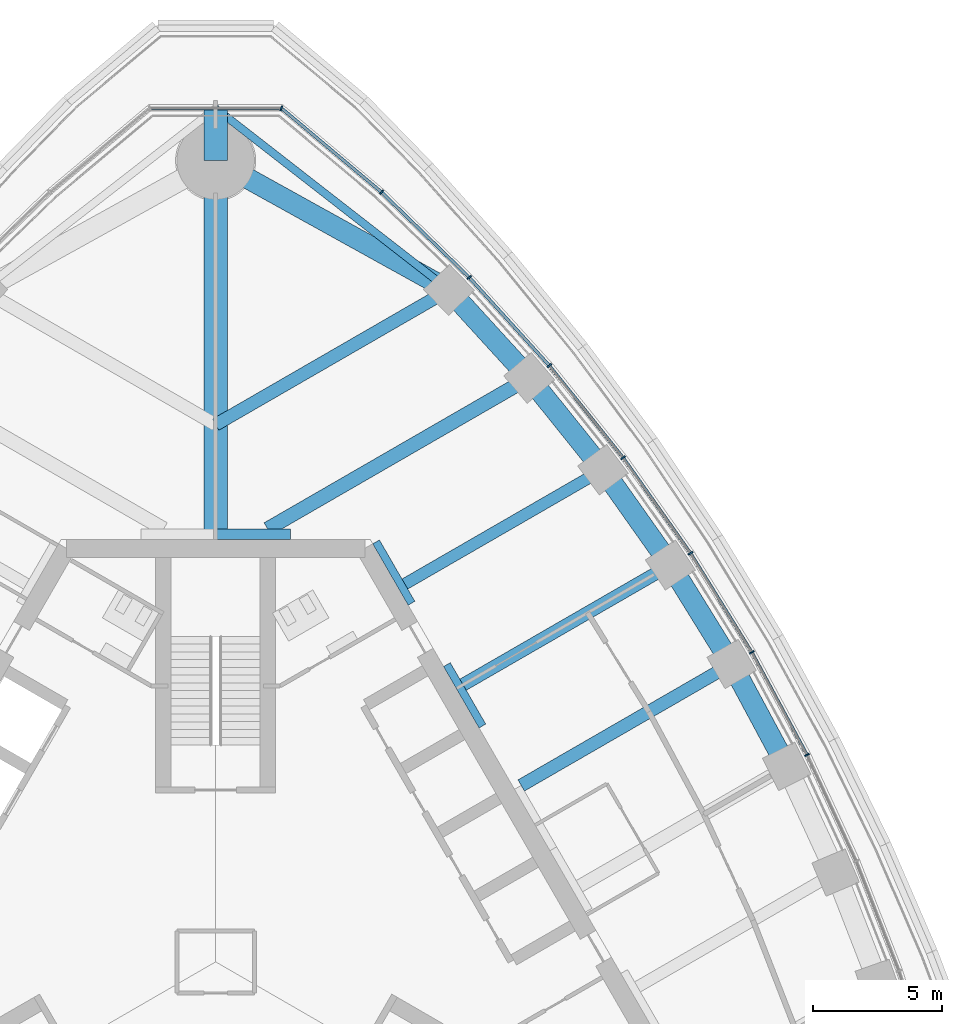
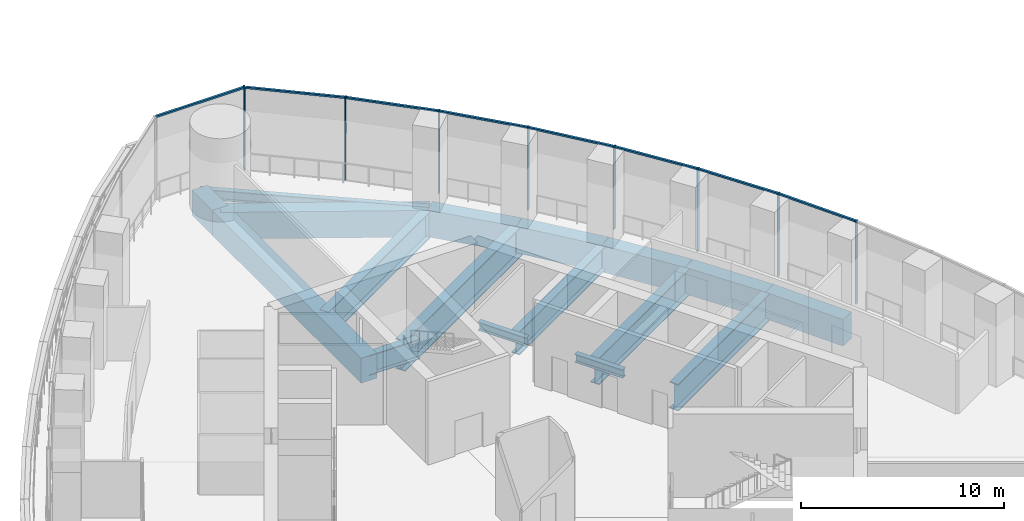
# One storey, part 7 of 26: 17 beams, 16 members, 2 elements without a shape of their own.
"""IFC4 building model written with IfcOpenShell, lengths in metres."""

from ifc_helpers import new_model, si_unit, direction, frame, origin, origin_2d, place, context, subcontext, project, spatial, rectangle, i_section, extrude, material, material_profile, profile_set, type_object, element, aggregate, save


model = new_model("IFC4")

# Units and contexts
model_context = context("Model", 3, precision=1e-05, world=origin(), true_north=direction((0.0, 1.0)))
body_context = subcontext(model_context, "Body", "Model", "MODEL_VIEW")
ifc_project = project(units=[si_unit("LENGTHUNIT", "METRE"), si_unit("AREAUNIT", "SQUARE_METRE"), si_unit("VOLUMEUNIT", "CUBIC_METRE"), si_unit("PLANEANGLEUNIT", "RADIAN"), si_unit("MASSUNIT", "GRAM", prefix="KILO")], contexts=[model_context])

# Site, building, storey
site_placement = place(None, origin())
site = spatial("IfcSite", under=ifc_project, at=site_placement, CompositionType="ELEMENT")
building_placement = place(site_placement, origin())
building = spatial("IfcBuilding", under=site, at=building_placement, Name="Trefoil Bronze Tower", CompositionType="ELEMENT")
storey_placement = place(building_placement, frame((0.0, 0.0, 271.300048828125)))
storey = spatial("IfcBuildingStorey", under=building, at=storey_placement, Name="L62", CompositionType="ELEMENT", Elevation=271.300048828125)

# Curtain wall, members
ifc_material_1 = material(Name="Tinted solar-control glass", Category="glass")
curtain_wall_type_1 = type_object("IfcCurtainWallType", Name="Bronze rounded corner curtain wall", PredefinedType="USERDEFINED", material=ifc_material_1)
curtain_wall_1_placement = place(storey_placement, origin())
curtain_wall_1 = element("IfcCurtainWall", 1, at=curtain_wall_1_placement, inside=storey, type_object=curtain_wall_type_1, Name="CW-B L62 K2", ObjectType="CURTAIN WALL", PredefinedType="USERDEFINED")
ifc_material_2 = material(Name="Bronze-finish aluminium", Category="aluminium")
ifc_material_profile_1 = material_profile(ifc_material_2, rectangle(XDim=0.199951171875, YDim=0.06005859375, at=origin_2d()), Name="CW-B mullion")
ifc_profile_set_1 = profile_set([ifc_material_profile_1], Name="Bronze-finish aluminium")
member_type_1 = type_object("IfcMemberType", Name="Bronze rounded corner curtain wall mullion", PredefinedType="MULLION", material=ifc_profile_set_1)
member_1_placement = place(storey_placement, frame((6.4150390625, 29.77978515625, 0.0), z_axis=(0.0, 0.0, 1.0), x_axis=(-0.642787609687, -0.766044443119, 0.0)))
member_1 = element("IfcMember", 2, at=member_1_placement, type_object=member_type_1, Name="CW-B L62 K2 mullion 1", PredefinedType="MULLION", context=body_context, shape_type="SweptSolid", body=[
    extrude(rectangle(XDim=0.199951171875, YDim=0.06005859375, at=origin_2d()), origin(), (0.0, 0.0, 1.0), 4.97998046875),
])
member_2_placement = place(storey_placement, frame((2.542236328125, 33.021484375, 0.0), z_axis=(0.0, 0.0, 1.0), x_axis=(-0.342020143326, -0.939692620786, 0.0)))
member_2 = element("IfcMember", 3, at=member_2_placement, type_object=member_type_1, Name="CW-B L62 K2 mullion 2", PredefinedType="MULLION", context=body_context, shape_type="SweptSolid", body=[
    extrude(rectangle(XDim=0.199951171875, YDim=0.06005859375, at=origin_2d()), origin(), (0.0, 0.0, 1.0), 4.97998046875),
])
ifc_material_3 = material(Name="Bronze-finish aluminium", Category="aluminium")
ifc_material_profile_2 = material_profile(ifc_material_3, rectangle(XDim=0.1201171875, YDim=0.10009765625, at=origin_2d()), Name="CW-B transom")
ifc_profile_set_2 = profile_set([ifc_material_profile_2], Name="Bronze-finish aluminium")
member_type_2 = type_object("IfcMemberType", Name="Bronze rounded corner curtain wall transom", PredefinedType="USERDEFINED", material=ifc_profile_set_2)
member_3_placement = place(storey_placement, frame((6.39208984375, 29.799072265625, 4.929931640625), z_axis=(-0.766040522511, 0.642792282056, 0.0), x_axis=(-0.642792282056, -0.766040522511, 0.0)))
member_3 = element("IfcMember", 4, at=member_3_placement, type_object=member_type_2, Name="CW-B L62 K2 transom 1", ObjectType="TRANSOM", PredefinedType="USERDEFINED", context=body_context, shape_type="SweptSolid", body=[
    extrude(rectangle(XDim=0.1201171875, YDim=0.10009765625, at=origin_2d()), origin(), (0.0, 0.0, 1.0), 4.9560546875),
])
member_4_placement = place(storey_placement, frame((2.47802734375, 33.027587890625, 4.929931640625), z_axis=(-1.0, 0.0, 0.0), x_axis=(0.0, -1.0, 0.0)))
member_4 = element("IfcMember", 5, at=member_4_placement, type_object=member_type_2, Name="CW-B L62 K2 transom 2", ObjectType="TRANSOM", PredefinedType="USERDEFINED", context=body_context, shape_type="SweptSolid", body=[
    extrude(rectangle(XDim=0.1201171875, YDim=0.10009765625, at=origin_2d()), origin(), (0.0, 0.0, 1.0), 4.9560546875),
])
aggregate(curtain_wall_1, [member_1, member_2, member_3, member_4])

ifc_material_4 = material(Name="Tinted solar-control glass", Category="glass")
curtain_wall_type_2 = type_object("IfcCurtainWallType", Name="Bronze sky lobby curtain wall", PredefinedType="USERDEFINED", material=ifc_material_4)
curtain_wall_2_placement = place(storey_placement, origin())
curtain_wall_2 = element("IfcCurtainWall", 6, at=curtain_wall_2_placement, inside=storey, type_object=curtain_wall_type_2, Name="CW-D L62 F2", ObjectType="CURTAIN WALL", PredefinedType="USERDEFINED")
ifc_material_5 = material(Name="Bronze-finish aluminium", Category="aluminium")
ifc_material_profile_3 = material_profile(ifc_material_5, rectangle(XDim=0.199951171875, YDim=0.06005859375, at=origin_2d()), Name="CW-D mullion")
ifc_profile_set_3 = profile_set([ifc_material_profile_3], Name="Bronze-finish aluminium")
member_type_3 = type_object("IfcMemberType", Name="Bronze sky lobby curtain wall mullion", PredefinedType="MULLION", material=ifc_profile_set_3)
member_5_placement = place(storey_placement, frame((22.877685546875, 8.005126953125, 0.0), z_axis=(0.0, 0.0, 1.0), x_axis=(-0.894713198289, -0.44664112306, 0.0)))
member_5 = element("IfcMember", 7, at=member_5_placement, type_object=member_type_3, Name="CW-D L62 F2 mullion 5", PredefinedType="MULLION", context=body_context, shape_type="SweptSolid", body=[
    extrude(rectangle(XDim=0.199951171875, YDim=0.06005859375, at=origin_2d()), origin(), (0.0, 0.0, 1.0), 4.97998046875),
])
member_6_placement = place(storey_placement, frame((20.74267578125, 11.975830078125, 0.0), z_axis=(0.0, 0.0, 1.0), x_axis=(-0.866025403784, -0.5, 0.0)))
member_6 = element("IfcMember", 8, at=member_6_placement, type_object=member_type_3, Name="CW-D L62 F2 mullion 6", PredefinedType="MULLION", context=body_context, shape_type="SweptSolid", body=[
    extrude(rectangle(XDim=0.199951171875, YDim=0.06005859375, at=origin_2d()), origin(), (0.0, 0.0, 1.0), 4.97998046875),
])
member_7_placement = place(storey_placement, frame((18.37158203125, 15.81005859375, 0.0), z_axis=(0.0, 0.0, 1.0), x_axis=(-0.834159158089, -0.551523797289, 0.0)))
member_7 = element("IfcMember", 9, at=member_7_placement, type_object=member_type_3, Name="CW-D L62 F2 mullion 7", PredefinedType="MULLION", context=body_context, shape_type="SweptSolid", body=[
    extrude(rectangle(XDim=0.199951171875, YDim=0.06005859375, at=origin_2d()), origin(), (0.0, 0.0, 1.0), 4.97998046875),
])
member_8_placement = place(storey_placement, frame((15.7626953125, 19.5068359375, 0.0), z_axis=(0.0, 0.0, 1.0), x_axis=(-0.799096076136, -0.601203344222, 0.0)))
member_8 = element("IfcMember", 10, at=member_8_placement, type_object=member_type_3, Name="CW-D L62 F2 mullion 8", PredefinedType="MULLION", context=body_context, shape_type="SweptSolid", body=[
    extrude(rectangle(XDim=0.199951171875, YDim=0.06005859375, at=origin_2d()), origin(), (0.0, 0.0, 1.0), 4.97998046875),
])
member_9_placement = place(storey_placement, frame((12.912353515625, 23.064453125, 0.0), z_axis=(0.0, 0.0, 1.0), x_axis=(-0.760781190165, -0.649008459646, 0.0)))
member_9 = element("IfcMember", 11, at=member_9_placement, type_object=member_type_3, Name="CW-D L62 F2 mullion 9", PredefinedType="MULLION", context=body_context, shape_type="SweptSolid", body=[
    extrude(rectangle(XDim=0.199951171875, YDim=0.06005859375, at=origin_2d()), origin(), (0.0, 0.0, 1.0), 4.97998046875),
])
member_10_placement = place(storey_placement, frame((9.8134765625, 26.478271484375, 0.0), z_axis=(0.0, 0.0, 1.0), x_axis=(-0.719001349715, -0.695008675564, 0.0)))
member_10 = element("IfcMember", 12, at=member_10_placement, type_object=member_type_3, Name="CW-D L62 F2 mullion 10", PredefinedType="MULLION", context=body_context, shape_type="SweptSolid", body=[
    extrude(rectangle(XDim=0.199951171875, YDim=0.06005859375, at=origin_2d()), origin(), (0.0, 0.0, 1.0), 4.97998046875),
])
ifc_material_6 = material(Name="Bronze-finish aluminium", Category="aluminium")
ifc_material_profile_4 = material_profile(ifc_material_6, rectangle(XDim=0.1201171875, YDim=0.10009765625, at=origin_2d()), Name="CW-D transom")
ifc_profile_set_4 = profile_set([ifc_material_profile_4], Name="Bronze-finish aluminium")
member_type_4 = type_object("IfcMemberType", Name="Bronze sky lobby curtain wall transom", PredefinedType="USERDEFINED", material=ifc_profile_set_4)
member_11_placement = place(storey_placement, frame((22.862060546875, 8.034423828125, 4.929931640625), z_axis=(-0.473595015729, 0.880742732628, 0.0), x_axis=(-0.880742732628, -0.473595015729, 0.0)))
member_11 = element("IfcMember", 13, at=member_11_placement, type_object=member_type_4, Name="CW-D L62 F2 transom 5", ObjectType="TRANSOM", PredefinedType="USERDEFINED", context=body_context, shape_type="SweptSolid", body=[
    extrude(rectangle(XDim=0.1201171875, YDim=0.10009765625, at=origin_2d()), origin(), (0.0, 0.0, 1.0), 4.442138671875),
])
member_12_placement = place(storey_placement, frame((20.725341796875, 12.00390625, 4.929931640625), z_axis=(-0.525966686785, 0.850505170115, 0.0), x_axis=(-0.850505170115, -0.525966686785, 0.0)))
member_12 = element("IfcMember", 14, at=member_12_placement, type_object=member_type_4, Name="CW-D L62 F2 transom 6", ObjectType="TRANSOM", PredefinedType="USERDEFINED", context=body_context, shape_type="SweptSolid", body=[
    extrude(rectangle(XDim=0.1201171875, YDim=0.10009765625, at=origin_2d()), origin(), (0.0, 0.0, 1.0), 4.442138671875),
])
member_13_placement = place(storey_placement, frame((18.3525390625, 15.8369140625, 4.929931640625), z_axis=(-0.576567106731, 0.817049797402, 0.0), x_axis=(-0.817049797402, -0.576567106731, 0.0)))
member_13 = element("IfcMember", 15, at=member_13_placement, type_object=member_type_4, Name="CW-D L62 F2 transom 7", ObjectType="TRANSOM", PredefinedType="USERDEFINED", context=body_context, shape_type="SweptSolid", body=[
    extrude(rectangle(XDim=0.1201171875, YDim=0.10009765625, at=origin_2d()), origin(), (0.0, 0.0, 1.0), 4.458740234375),
])
member_14_placement = place(storey_placement, frame((15.7421875, 19.53271484375, 4.929931640625), z_axis=(-0.625291332688, 0.780391407734, 0.0), x_axis=(-0.780391407734, -0.625291332688, 0.0)))
member_14 = element("IfcMember", 16, at=member_14_placement, type_object=member_type_4, Name="CW-D L62 F2 transom 8", ObjectType="TRANSOM", PredefinedType="USERDEFINED", context=body_context, shape_type="SweptSolid", body=[
    extrude(rectangle(XDim=0.1201171875, YDim=0.10009765625, at=origin_2d()), origin(), (0.0, 0.0, 1.0), 4.492431640625),
])
member_15_placement = place(storey_placement, frame((12.89013671875, 23.0888671875, 4.929931640625), z_axis=(-0.672113749312, 0.74044791038, 0.0), x_axis=(-0.74044791038, -0.672113749312, 0.0)))
member_15 = element("IfcMember", 17, at=member_15_placement, type_object=member_type_4, Name="CW-D L62 F2 transom 9", ObjectType="TRANSOM", PredefinedType="USERDEFINED", context=body_context, shape_type="SweptSolid", body=[
    extrude(rectangle(XDim=0.1201171875, YDim=0.10009765625, at=origin_2d()), origin(), (0.0, 0.0, 1.0), 4.54443359375),
])
member_16_placement = place(storey_placement, frame((9.78955078125, 26.50146484375, 4.929931640625), z_axis=(-0.717207669236, 0.696859497452, 0.0), x_axis=(-0.696859497452, -0.717207669236, 0.0)))
member_16 = element("IfcMember", 18, at=member_16_placement, type_object=member_type_4, Name="CW-D L62 F2 transom 10", ObjectType="TRANSOM", PredefinedType="USERDEFINED", context=body_context, shape_type="SweptSolid", body=[
    extrude(rectangle(XDim=0.1201171875, YDim=0.10009765625, at=origin_2d()), origin(), (0.0, 0.0, 1.0), 4.667236328125),
])
aggregate(curtain_wall_2, [member_5, member_6, member_7, member_8, member_9, member_10, member_11, member_12, member_13, member_14, member_15, member_16])

# Beams
ifc_material_7 = material(Name="Steel C355", Category="steel")
ifc_material_profile_5 = material_profile(ifc_material_7, i_section(OverallWidth=0.300048828125, OverallDepth=0.5, WebThickness=0.014404296875, FlangeThickness=0.028076171875, FilletRadius=0.027099609375, at=origin_2d()), Name="HEB 500")
ifc_profile_set_5 = profile_set([ifc_material_profile_5], Name="Steel C355")
beam_type_1 = type_object("IfcBeamType", Name="Core seat beam HEB 500", PredefinedType="BEAM", material=ifc_profile_set_5)
for number, where, z_axis, x_axis, name in (
    (19, (10.320068359375, 9.125, -0.449951171875), (-0.499969057507, 0.866043267704, 0.0), (-0.866043267704, -0.499969057507, 0.0), "Core seat beam F2/+1 L62"),
    (20, (7.57763671875, 13.875, -0.449951171875), (-0.499969057507, 0.866043267704, 0.0), (-0.866043267704, -0.499969057507, 0.0), "Core seat beam F2/+2 L62"),
):
    element("IfcBeam", number, at=place(storey_placement, frame(where, z_axis=z_axis, x_axis=x_axis)), inside=storey, type_object=beam_type_1, Name=name, PredefinedType="BEAM", context=body_context, shape_type="SweptSolid", body=[
        extrude(i_section(OverallWidth=0.300048828125, OverallDepth=0.5, WebThickness=0.014404296875, FlangeThickness=0.028076171875, FilletRadius=0.027099609375, at=origin_2d()), origin(), (0.0, 0.0, 1.0), 2.742431640625),
    ])
ifc_material_8 = material(Name="Steel C355", Category="steel")
ifc_material_profile_6 = material_profile(ifc_material_8, i_section(OverallWidth=0.39990234375, OverallDepth=1.199951171875, WebThickness=0.02001953125, FlangeThickness=0.0400390625, FilletRadius=0.010009765625, at=origin_2d()), Name="WPG 1200")
ifc_profile_set_6 = profile_set([ifc_material_profile_6], Name="Steel C355")
beam_type_2 = type_object("IfcBeamType", Name="Core seat beam WPG 1200", PredefinedType="BEAM", material=ifc_profile_set_6)
beam_1_placement = place(storey_placement, frame((2.88671875, 16.550048828125, -0.800048828125), z_axis=(-1.0, 0.0, 0.0), x_axis=(0.0, -1.0, 0.0)))
element("IfcBeam", 21, at=beam_1_placement, inside=storey, type_object=beam_type_2, Name="Core seat beam F2/+3 L62", PredefinedType="BEAM", context=body_context, shape_type="SweptSolid", body=[
    extrude(i_section(OverallWidth=0.39990234375, OverallDepth=1.199951171875, WebThickness=0.02001953125, FlangeThickness=0.0400390625, FilletRadius=0.010009765625, at=origin_2d()), origin(), (0.0, 0.0, 1.0), 2.88671875),
])
ifc_material_9 = material(Name="Concrete B80", Category="concrete")
ifc_material_profile_7 = material_profile(ifc_material_9, rectangle(XDim=0.89990234375, YDim=1.5, at=origin_2d()), Name="RC 900x1500")
ifc_profile_set_7 = profile_set([ifc_material_profile_7], Name="Concrete B80")
beam_type_3 = type_object("IfcBeamType", Name="Corner cantilever RC 900x1500", PredefinedType="BEAM", material=ifc_profile_set_7)
beam_2_placement = place(storey_placement, frame((0.0, 31.0, -0.949951171875), z_axis=(0.0, 1.0, 0.0), x_axis=(-1.0, 0.0, 0.0)))
element("IfcBeam", 22, at=beam_2_placement, inside=storey, type_object=beam_type_3, Name="Corner cantilever K2 L62", PredefinedType="BEAM", context=body_context, shape_type="SweptSolid", body=[
    extrude(rectangle(XDim=0.89990234375, YDim=1.5, at=origin_2d()), origin(), (0.0, 0.0, 1.0), 2.019775390625),
])
ifc_material_10 = material(Name="Steel C355", Category="steel")
ifc_material_profile_8 = material_profile(ifc_material_10, i_section(OverallWidth=0.300048828125, OverallDepth=0.60009765625, WebThickness=0.015380859375, FlangeThickness=0.030029296875, FilletRadius=0.027099609375, at=origin_2d()), Name="HEB 600")
ifc_profile_set_8 = profile_set([ifc_material_profile_8], Name="Steel C355")
beam_type_4 = type_object("IfcBeamType", Name="Corner edge beam HEB 600", PredefinedType="BEAM", material=ifc_profile_set_8)
beam_3_placement = place(storey_placement, frame((9.02734375, 25.99658203125, -0.5), z_axis=(-0.789270604977, 0.614045529354, 0.0), x_axis=(-0.614045529354, -0.789270604977, 0.0)))
element("IfcBeam", 23, at=beam_3_placement, inside=storey, type_object=beam_type_4, Name="Corner edge beam F2A L62", PredefinedType="BEAM", context=body_context, shape_type="SweptSolid", body=[
    extrude(i_section(OverallWidth=0.300048828125, OverallDepth=0.60009765625, WebThickness=0.015380859375, FlangeThickness=0.030029296875, FilletRadius=0.027099609375, at=origin_2d()), origin(), (0.0, 0.0, 1.0), 11.4375),
])
ifc_material_11 = material(Name="Concrete B80", Category="concrete")
ifc_material_profile_9 = material_profile(ifc_material_11, rectangle(XDim=0.89990234375, YDim=1.5, at=origin_2d()), Name="RC 900x1500")
ifc_profile_set_9 = profile_set([ifc_material_profile_9], Name="Concrete B80")
beam_type_5 = type_object("IfcBeamType", Name="Corner girder RC 900x1500", PredefinedType="BEAM", material=ifc_profile_set_9)
beam_4_placement = place(storey_placement, frame((0.0, 16.35009765625, -0.949951171875), z_axis=(0.0, 1.0, 0.0), x_axis=(-1.0, 0.0, 0.0)))
element("IfcBeam", 24, at=beam_4_placement, inside=storey, type_object=beam_type_5, Name="Corner girder K2 L62", PredefinedType="BEAM", context=body_context, shape_type="SweptSolid", body=[
    extrude(rectangle(XDim=0.89990234375, YDim=1.5, at=origin_2d()), origin(), (0.0, 0.0, 1.0), 14.64990234375),
])
ifc_material_12 = material(Name="Concrete B80", Category="concrete")
ifc_material_profile_10 = material_profile(ifc_material_12, rectangle(XDim=0.800048828125, YDim=1.60009765625, at=origin_2d()), Name="RC 800x1600")
ifc_profile_set_10 = profile_set([ifc_material_profile_10], Name="Concrete B80")
beam_type_6 = type_object("IfcBeamType", Name="End spandrel beam RC 800x1600", PredefinedType="SPANDREL", material=ifc_profile_set_10)
beam_5_placement = place(storey_placement, frame((9.02734375, 25.99658203125, -1.0), z_axis=(-0.874641085074, 0.484771051426, 0.0), x_axis=(-0.484771051426, -0.874641085074, 0.0)))
element("IfcBeam", 25, at=beam_5_placement, inside=storey, type_object=beam_type_6, Name="Spandrel F2.10 L62", PredefinedType="SPANDREL", context=body_context, shape_type="SweptSolid", body=[
    extrude(rectangle(XDim=0.800048828125, YDim=1.60009765625, at=origin_2d()), origin(), (0.0, 0.0, 1.0), 10.3212890625),
])
ifc_material_13 = material(Name="Steel C355", Category="steel")
ifc_material_profile_11 = material_profile(ifc_material_13, i_section(OverallWidth=0.449951171875, OverallDepth=1.39990234375, WebThickness=0.02294921875, FlangeThickness=0.044921875, FilletRadius=0.011962890625, at=origin_2d()), Name="WPG 1400")
ifc_profile_set_11 = profile_set([ifc_material_profile_11], Name="Steel C355")
beam_type_7 = type_object("IfcBeamType", Name="Floor beam WPG 1400", PredefinedType="BEAM", material=ifc_profile_set_11)
beam_6_placement = place(storey_placement, frame((14.98486328125, 19.043701171875, -0.900146484375), z_axis=(-0.866025701847, -0.499999483739, 0.0), x_axis=(0.499999483739, -0.866025701847, 0.0)))
element("IfcBeam", 26, at=beam_6_placement, inside=storey, type_object=beam_type_7, Name="Floor beam F2/+2 L62", PredefinedType="BEAM", context=body_context, shape_type="SweptSolid", body=[
    extrude(i_section(OverallWidth=0.449951171875, OverallDepth=1.39990234375, WebThickness=0.02294921875, FlangeThickness=0.044921875, FilletRadius=0.011962890625, at=origin_2d()), origin(), (0.0, 0.0, 1.0), 8.84912109375),
])
ifc_material_14 = material(Name="Steel C355", Category="steel")
ifc_material_profile_12 = material_profile(ifc_material_14, i_section(OverallWidth=0.5, OverallDepth=1.60009765625, WebThickness=0.02587890625, FlangeThickness=0.050048828125, FilletRadius=0.011962890625, at=origin_2d()), Name="WPG 1600")
ifc_profile_set_12 = profile_set([ifc_material_profile_12], Name="Steel C355")
beam_type_8 = type_object("IfcBeamType", Name="Floor beam WPG 1600", PredefinedType="BEAM", material=ifc_profile_set_12)
beam_7_placement = place(storey_placement, frame((19.96337890625, 11.52587890625, -1.0), z_axis=(-0.866021259968, -0.500007177232, 0.0), x_axis=(0.500007177232, -0.866021259968, 0.0)))
element("IfcBeam", 27, at=beam_7_placement, inside=storey, type_object=beam_type_8, Name="Floor beam F2/+0 L62", PredefinedType="BEAM", context=body_context, shape_type="SweptSolid", body=[
    extrude(i_section(OverallWidth=0.5, OverallDepth=1.60009765625, WebThickness=0.02587890625, FlangeThickness=0.050048828125, FilletRadius=0.011962890625, at=origin_2d()), origin(), (0.0, 0.0, 1.0), 9.401611328125),
])
beam_8_placement = place(storey_placement, frame((17.593994140625, 15.35400390625, -1.0), z_axis=(-0.866028909405, -0.499993928037, 0.0), x_axis=(0.499993928037, -0.866028909405, 0.0)))
element("IfcBeam", 28, at=beam_8_placement, inside=storey, type_object=beam_type_8, Name="Floor beam F2/+1 L62", PredefinedType="BEAM", context=body_context, shape_type="SweptSolid", body=[
    extrude(i_section(OverallWidth=0.5, OverallDepth=1.60009765625, WebThickness=0.02587890625, FlangeThickness=0.050048828125, FilletRadius=0.011962890625, at=origin_2d()), origin(), (0.0, 0.0, 1.0), 9.263671875),
])
beam_9_placement = place(storey_placement, frame((9.02734375, 25.99658203125, -1.0), z_axis=(-0.866026453994, -0.499998180979, 0.0), x_axis=(0.499998180979, -0.866026453994, 0.0)))
element("IfcBeam", 29, at=beam_9_placement, inside=storey, type_object=beam_type_8, Name="Floor beam F2/+4 L62", PredefinedType="BEAM", context=body_context, shape_type="SweptSolid", body=[
    extrude(i_section(OverallWidth=0.5, OverallDepth=1.60009765625, WebThickness=0.02587890625, FlangeThickness=0.050048828125, FilletRadius=0.011962890625, at=origin_2d()), origin(), (0.0, 0.0, 1.0), 10.423828125),
])
ifc_material_15 = material(Name="Steel C355", Category="steel")
ifc_material_profile_13 = material_profile(ifc_material_15, i_section(OverallWidth=0.550048828125, OverallDepth=1.800048828125, WebThickness=0.029052734375, FlangeThickness=0.054931640625, FilletRadius=0.013916015625, at=origin_2d()), Name="WPG 1800")
ifc_profile_set_13 = profile_set([ifc_material_profile_13], Name="Steel C355")
beam_type_9 = type_object("IfcBeamType", Name="Floor beam WPG 1800", PredefinedType="BEAM", material=ifc_profile_set_13)
beam_10_placement = place(storey_placement, frame((12.131591796875, 22.5927734375, -1.10009765625), z_axis=(-0.866017882563, -0.500013026912, 0.0), x_axis=(0.500013026912, -0.866017882563, 0.0)))
element("IfcBeam", 30, at=beam_10_placement, inside=storey, type_object=beam_type_9, Name="Floor beam F2/+3 L62", PredefinedType="BEAM", context=body_context, shape_type="SweptSolid", body=[
    extrude(i_section(OverallWidth=0.550048828125, OverallDepth=1.800048828125, WebThickness=0.029052734375, FlangeThickness=0.054931640625, FilletRadius=0.013916015625, at=origin_2d()), origin(), (0.0, 0.0, 1.0), 11.685302734375),
])
ifc_material_16 = material(Name="Concrete B80", Category="concrete")
ifc_material_profile_14 = material_profile(ifc_material_16, rectangle(XDim=0.800048828125, YDim=1.60009765625, at=origin_2d()), Name="RC 800x1600")
ifc_profile_set_14 = profile_set([ifc_material_profile_14], Name="Concrete B80")
beam_type_10 = type_object("IfcBeamType", Name="Spandrel beam RC 800x1600", PredefinedType="SPANDREL", material=ifc_profile_set_14)
beam_11_placement = place(storey_placement, frame((22.093994140625, 7.559814453125, -1.0), z_axis=(-0.473245885676, 0.880930378458, 0.0), x_axis=(-0.880930378458, -0.473245885676, 0.0)))
element("IfcBeam", 31, at=beam_11_placement, inside=storey, type_object=beam_type_10, Name="Spandrel F2.5 L62", PredefinedType="SPANDREL", context=body_context, shape_type="SweptSolid", body=[
    extrude(rectangle(XDim=0.800048828125, YDim=1.60009765625, at=origin_2d()), origin(), (0.0, 0.0, 1.0), 4.502197265625),
])
beam_12_placement = place(storey_placement, frame((19.96337890625, 11.52587890625, -1.0), z_axis=(-0.526289271956, 0.850305593433, 0.0), x_axis=(-0.850305593433, -0.526289271956, 0.0)))
element("IfcBeam", 32, at=beam_12_placement, inside=storey, type_object=beam_type_10, Name="Spandrel F2.6 L62", PredefinedType="SPANDREL", context=body_context, shape_type="SweptSolid", body=[
    extrude(rectangle(XDim=0.800048828125, YDim=1.60009765625, at=origin_2d()), origin(), (0.0, 0.0, 1.0), 4.501953125),
])
beam_13_placement = place(storey_placement, frame((17.593994140625, 15.35400390625, -1.0), z_axis=(-0.577368105169, 0.816483968693, 0.0), x_axis=(-0.816483968693, -0.577368105169, 0.0)))
element("IfcBeam", 33, at=beam_13_placement, inside=storey, type_object=beam_type_10, Name="Spandrel F2.7 L62", PredefinedType="SPANDREL", context=body_context, shape_type="SweptSolid", body=[
    extrude(rectangle(XDim=0.800048828125, YDim=1.60009765625, at=origin_2d()), origin(), (0.0, 0.0, 1.0), 4.51904296875),
])
beam_14_placement = place(storey_placement, frame((14.98486328125, 19.043701171875, -1.0), z_axis=(-0.626569682592, 0.779365403939, 0.0), x_axis=(-0.779365403939, -0.626569682592, 0.0)))
element("IfcBeam", 34, at=beam_14_placement, inside=storey, type_object=beam_type_10, Name="Spandrel F2.8 L62", PredefinedType="SPANDREL", context=body_context, shape_type="SweptSolid", body=[
    extrude(rectangle(XDim=0.800048828125, YDim=1.60009765625, at=origin_2d()), origin(), (0.0, 0.0, 1.0), 4.5537109375),
])
beam_15_placement = place(storey_placement, frame((12.131591796875, 22.5927734375, -1.0), z_axis=(-0.673845775847, 0.738872025707, 0.0), x_axis=(-0.738872025707, -0.673845775847, 0.0)))
element("IfcBeam", 35, at=beam_15_placement, inside=storey, type_object=beam_type_10, Name="Spandrel F2.9 L62", PredefinedType="SPANDREL", context=body_context, shape_type="SweptSolid", body=[
    extrude(rectangle(XDim=0.800048828125, YDim=1.60009765625, at=origin_2d()), origin(), (0.0, 0.0, 1.0), 4.606689453125),
])

save(model, "model.ifc")
